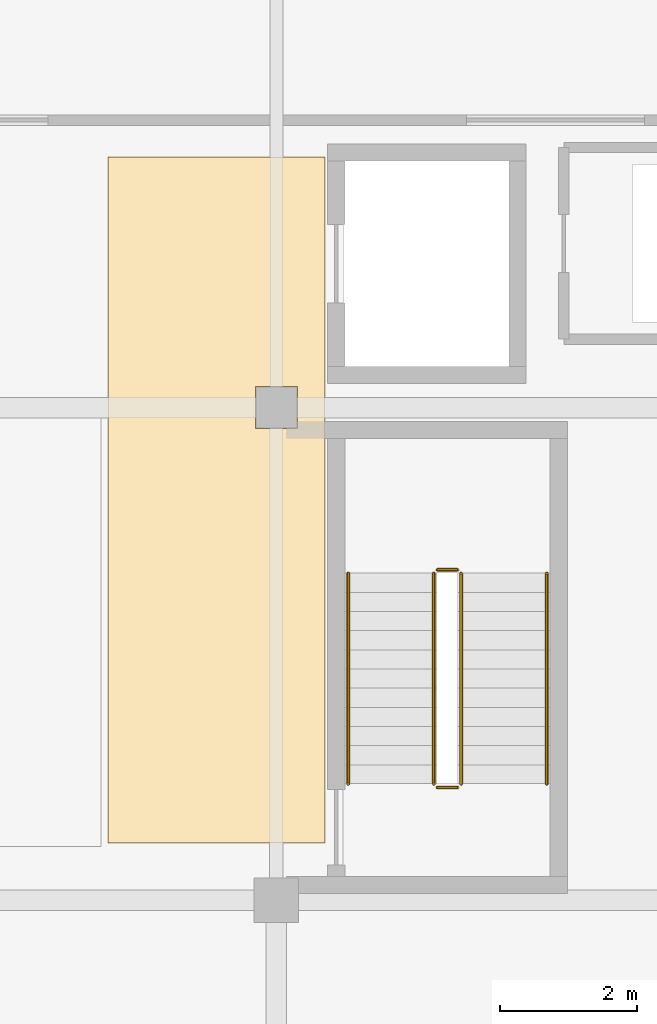
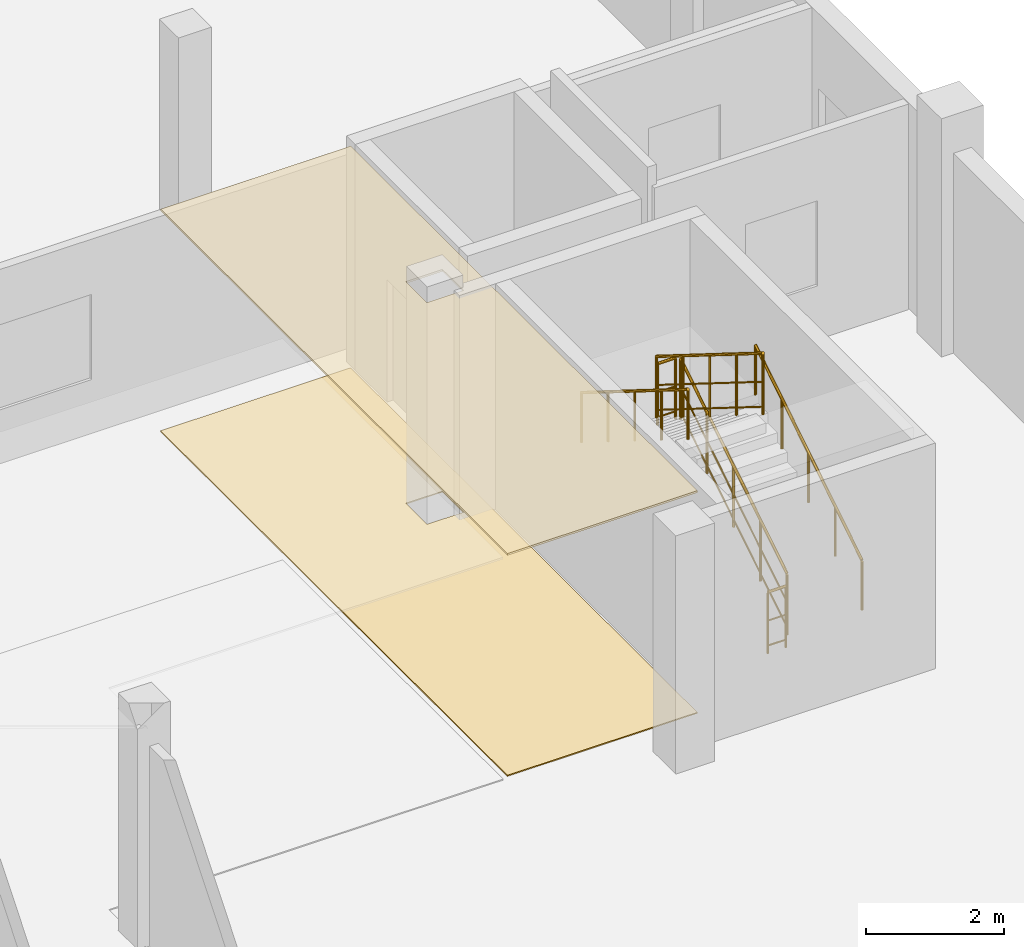
# One storey, part 121 of 121: 6 railings, 2 coverings.
"""IFC4 building model written with IfcOpenShell, lengths in metres."""

from ifc_helpers import new_model, si_unit, direction, frame, origin, origin_2d, place, context, subcontext, project, spatial, polyline, circle, outline, extrude, material, layer, layer_set, type_object, element, save


model = new_model("IFC4")

# Units and contexts
model_context = context("Model", 3, precision=1e-05, world=origin(), true_north=direction((0.0, 1.0)))
body_context = subcontext(model_context, "Body", "Model", "MODEL_VIEW")
ifc_project = project(units=[si_unit("LENGTHUNIT", "METRE"), si_unit("AREAUNIT", "SQUARE_METRE"), si_unit("VOLUMEUNIT", "CUBIC_METRE"), si_unit("PLANEANGLEUNIT", "RADIAN"), si_unit("MASSUNIT", "GRAM", prefix="KILO")], contexts=[model_context])

# Site, building, storey
site_placement = place(None, origin())
site = spatial("IfcSite", under=ifc_project, at=site_placement, CompositionType="ELEMENT")
building_placement = place(site_placement, origin())
building = spatial("IfcBuilding", under=site, at=building_placement, Name="Vinh Khe Railworks Police Headquarters", CompositionType="ELEMENT")
storey_placement = place(building_placement, frame((0.0, 0.0, 4.800048828125)))
storey = spatial("IfcBuildingStorey", under=building, at=storey_placement, Name="L01", CompositionType="ELEMENT", Elevation=4.800048828125)

# Coverings
ifc_material_1 = material(Name="Mineral fibre acoustic ceiling tile")
ifc_layer_1 = layer(ifc_material_1, 0.034912109375)
ifc_layer_set_1 = layer_set([ifc_layer_1], Name="Mineral fibre acoustic ceiling tile")
covering_type_1 = type_object("IfcCoveringType", Name="COV-CEIL-ACOUSTIC", PredefinedType="CEILING", material=ifc_layer_set_1)
covering_1_placement = place(storey_placement, frame((0.0, 0.0, 3.89501953125)))
element("IfcCovering", 1, at=covering_1_placement, inside=storey, type_object=covering_type_1, Name="Acoustic Ceiling Protected Forensic Stair Lobby C3", PredefinedType="CEILING", context=body_context, shape_type="SweptSolid", body=[
    extrude(outline(polyline([(105.7099609375, 141.659912109375), (102.5400390625, 141.659912109375), (102.5400390625, 131.639892578125), (105.7099609375, 131.639892578125), (105.7099609375, 141.659912109375)]), holes=[polyline([(105.304931640625, 137.695068359375), (104.695068359375, 137.695068359375), (104.695068359375, 138.304931640625), (105.304931640625, 138.304931640625), (105.304931640625, 137.695068359375)])]), origin(), (0.0, 0.0, 1.0), 0.034912109375),
])
ifc_material_2 = material(Name="Honed granite terrazzo flooring", Category="masonry")
ifc_layer_2 = layer(ifc_material_2, 0.02001953125)
ifc_layer_set_2 = layer_set([ifc_layer_2], Name="Honed granite terrazzo flooring")
covering_type_2 = type_object("IfcCoveringType", Name="COV-FLR-TERRAZZO", PredefinedType="FLOORING", material=ifc_layer_set_2)
covering_2_placement = place(storey_placement, origin())
element("IfcCovering", 2, at=covering_2_placement, inside=storey, type_object=covering_type_2, Name="Terrazzo Floor Finish Protected Forensic Stair Lobby C3", PredefinedType="FLOORING", context=body_context, shape_type="SweptSolid", body=[
    extrude(outline(polyline([(105.7099609375, 141.659912109375), (102.5400390625, 141.659912109375), (102.5400390625, 131.639892578125), (105.7099609375, 131.639892578125), (105.7099609375, 141.659912109375)]), holes=[polyline([(105.304931640625, 137.695068359375), (104.695068359375, 137.695068359375), (104.695068359375, 138.304931640625), (105.304931640625, 138.304931640625), (105.304931640625, 137.695068359375)])]), origin(), (0.0, 0.0, 1.0), 0.02001953125),
])

# Railings
ifc_material_3 = material(Name="Painted tubular steel", Category="steel")
railing_type_1 = type_object("IfcRailingType", Name="RL-GUARD-1100", PredefinedType="GUARDRAIL", material=ifc_material_3)
railing_1_placement = place(storey_placement, frame((107.699951171875, 132.5, 0.175048828125)))
element("IfcRailing", 3, at=railing_1_placement, inside=storey, type_object=railing_type_1, Name="L01 ST-03 stair guard 1", PredefinedType="GUARDRAIL", context=body_context, shape_type="SweptSolid", body=[
    extrude(circle(Radius=0.02392578125, at=origin_2d()), frame((0.0, 0.0, 1.076171875), z_axis=(0.0, 0.848028513186, 0.529950602248), x_axis=(-1.0, 0.0, 0.0)), (0.0, 0.0, 1.0), 3.632080078125),
    extrude(circle(Radius=0.01416015625, at=origin_2d()), frame((0.0, 0.0, 0.132080078125), z_axis=(0.0, 0.848028513186, 0.529950602248), x_axis=(-1.0, 0.0, 0.0)), (0.0, 0.0, 1.0), 3.632080078125),
    extrude(circle(Radius=0.01416015625, at=origin_2d()), frame((0.0, 0.0, 0.572021484375), z_axis=(0.0, 0.848028513186, 0.529950602248), x_axis=(-1.0, 0.0, 0.0)), (0.0, 0.0, 1.0), 3.632080078125),
    extrude(circle(Radius=0.02099609375, at=origin_2d()), origin(), (0.0, 0.0, 1.0), 1.052001953125),
    extrude(circle(Radius=0.02099609375, at=origin_2d()), frame((0.0, 0.77001953125, 0.481201171875)), (0.0, 0.0, 1.0), 1.052001953125),
    extrude(circle(Radius=0.02099609375, at=origin_2d()), frame((0.0, 1.5400390625, 0.96240234375)), (0.0, 0.0, 1.0), 1.052001953125),
    extrude(circle(Radius=0.02099609375, at=origin_2d()), frame((0.0, 2.31005859375, 1.443603515625)), (0.0, 0.0, 1.0), 1.052001953125),
    extrude(circle(Radius=0.02099609375, at=origin_2d()), frame((0.0, 3.080078125, 1.9248046875)), (0.0, 0.0, 1.0), 1.052001953125),
])
railing_2_placement = place(storey_placement, frame((107.64990234375, 135.6298828125, 2.099853515625)))
element("IfcRailing", 4, at=railing_2_placement, inside=storey, type_object=railing_type_1, Name="L01 ST-03 stair guard 2", PredefinedType="GUARDRAIL", context=body_context, shape_type="SweptSolid", body=[
    extrude(circle(Radius=0.02392578125, at=origin_2d()), frame((0.0, 0.0, 1.076171875), z_axis=(-1.0, 0.0, 0.0), x_axis=(0.0, -1.0, 0.0)), (0.0, 0.0, 1.0), 0.2998046875),
    extrude(circle(Radius=0.01416015625, at=origin_2d()), frame((0.0, 0.0, 0.132080078125), z_axis=(-1.0, 0.0, 0.0), x_axis=(0.0, -1.0, 0.0)), (0.0, 0.0, 1.0), 0.2998046875),
    extrude(circle(Radius=0.01416015625, at=origin_2d()), frame((0.0, 0.0, 0.572021484375), z_axis=(-1.0, 0.0, 0.0), x_axis=(0.0, -1.0, 0.0)), (0.0, 0.0, 1.0), 0.2998046875),
    extrude(circle(Radius=0.02099609375, at=origin_2d()), origin(), (0.0, 0.0, 1.0), 1.052001953125),
    extrude(circle(Radius=0.02099609375, at=origin_2d()), frame((-0.2998046875, 0.0, 0.0)), (0.0, 0.0, 1.0), 1.052001953125),
])
railing_3_placement = place(storey_placement, frame((107.300048828125, 135.580078125, 2.27490234375)))
element("IfcRailing", 5, at=railing_3_placement, inside=storey, type_object=railing_type_1, Name="L01 ST-03 stair guard 3", PredefinedType="GUARDRAIL", context=body_context, shape_type="SweptSolid", body=[
    extrude(circle(Radius=0.02392578125, at=origin_2d()), frame((0.0, 0.0, 1.076171875), z_axis=(0.0, -0.847998304005, 0.529998940003), x_axis=(1.0, 0.0, 0.0)), (0.0, 0.0, 1.0), 3.632080078125),
    extrude(circle(Radius=0.01416015625, at=origin_2d()), frame((0.0, 0.0, 0.132080078125), z_axis=(0.0, -0.847998304005, 0.529998940003), x_axis=(1.0, 0.0, 0.0)), (0.0, 0.0, 1.0), 3.632080078125),
    extrude(circle(Radius=0.01416015625, at=origin_2d()), frame((0.0, 0.0, 0.572021484375), z_axis=(0.0, -0.847998304005, 0.529998940003), x_axis=(1.0, 0.0, 0.0)), (0.0, 0.0, 1.0), 3.632080078125),
    extrude(circle(Radius=0.02099609375, at=origin_2d()), origin(), (0.0, 0.0, 1.0), 1.052001953125),
    extrude(circle(Radius=0.02099609375, at=origin_2d()), frame((0.0, -0.77001953125, 0.481201171875)), (0.0, 0.0, 1.0), 1.052001953125),
    extrude(circle(Radius=0.02099609375, at=origin_2d()), frame((0.0, -1.5400390625, 0.96240234375)), (0.0, 0.0, 1.0), 1.052001953125),
    extrude(circle(Radius=0.02099609375, at=origin_2d()), frame((0.0, -2.31005859375, 1.44384765625)), (0.0, 0.0, 1.0), 1.052001953125),
    extrude(circle(Radius=0.02099609375, at=origin_2d()), frame((0.0, -3.080078125, 1.925048828125)), (0.0, 0.0, 1.0), 1.052001953125),
])
railing_4_placement = place(storey_placement, frame((107.64990234375, 132.449951171875, 0.0)))
element("IfcRailing", 6, at=railing_4_placement, inside=storey, type_object=railing_type_1, Name="L01 ST-03 stair guard 4", PredefinedType="GUARDRAIL", context=body_context, shape_type="SweptSolid", body=[
    extrude(circle(Radius=0.02392578125, at=origin_2d()), frame((0.0, 0.0, 1.076171875), z_axis=(-1.0, 0.0, 0.0), x_axis=(0.0, -1.0, 0.0)), (0.0, 0.0, 1.0), 0.2998046875),
    extrude(circle(Radius=0.01416015625, at=origin_2d()), frame((0.0, 0.0, 0.132080078125), z_axis=(-1.0, 0.0, 0.0), x_axis=(0.0, -1.0, 0.0)), (0.0, 0.0, 1.0), 0.2998046875),
    extrude(circle(Radius=0.01416015625, at=origin_2d()), frame((0.0, 0.0, 0.572021484375), z_axis=(-1.0, 0.0, 0.0), x_axis=(0.0, -1.0, 0.0)), (0.0, 0.0, 1.0), 0.2998046875),
    extrude(circle(Radius=0.02099609375, at=origin_2d()), origin(), (0.0, 0.0, 1.0), 1.052001953125),
    extrude(circle(Radius=0.02099609375, at=origin_2d()), frame((-0.2998046875, 0.0, 0.0)), (0.0, 0.0, 1.0), 1.052001953125),
])
ifc_material_4 = material(Name="Brushed stainless steel", Category="steel")
railing_type_2 = type_object("IfcRailingType", Name="RL-HAND-900", PredefinedType="HANDRAIL", material=ifc_material_4)
railing_5_placement = place(storey_placement, frame((108.949951171875, 132.5, 0.175048828125)))
element("IfcRailing", 7, at=railing_5_placement, inside=storey, type_object=railing_type_2, Name="L01 ST-03 stair handrail 1", PredefinedType="HANDRAIL", context=body_context, shape_type="SweptSolid", body=[
    extrude(circle(Radius=0.02392578125, at=origin_2d()), frame((0.0, 0.0, 0.8759765625), z_axis=(0.0, 0.848028513186, 0.529950602248), x_axis=(-1.0, 0.0, 0.0)), (0.0, 0.0, 1.0), 3.632080078125),
    extrude(circle(Radius=0.02099609375, at=origin_2d()), origin(), (0.0, 0.0, 1.0), 0.851806640625),
    extrude(circle(Radius=0.02099609375, at=origin_2d()), frame((0.0, 0.77001953125, 0.481201171875)), (0.0, 0.0, 1.0), 0.851806640625),
    extrude(circle(Radius=0.02099609375, at=origin_2d()), frame((0.0, 1.5400390625, 0.96240234375)), (0.0, 0.0, 1.0), 0.851806640625),
    extrude(circle(Radius=0.02099609375, at=origin_2d()), frame((0.0, 2.31005859375, 1.443603515625)), (0.0, 0.0, 1.0), 0.851806640625),
    extrude(circle(Radius=0.02099609375, at=origin_2d()), frame((0.0, 3.080078125, 1.9248046875)), (0.0, 0.0, 1.0), 0.851806640625),
])
railing_6_placement = place(storey_placement, frame((106.050048828125, 135.580078125, 2.27490234375)))
element("IfcRailing", 8, at=railing_6_placement, inside=storey, type_object=railing_type_2, Name="L01 ST-03 stair handrail 2", PredefinedType="HANDRAIL", context=body_context, shape_type="SweptSolid", body=[
    extrude(circle(Radius=0.02392578125, at=origin_2d()), frame((0.0, 0.0, 0.8759765625), z_axis=(0.0, -0.847998304005, 0.529998940003), x_axis=(1.0, 0.0, 0.0)), (0.0, 0.0, 1.0), 3.632080078125),
    extrude(circle(Radius=0.02099609375, at=origin_2d()), origin(), (0.0, 0.0, 1.0), 0.851806640625),
    extrude(circle(Radius=0.02099609375, at=origin_2d()), frame((0.0, -0.77001953125, 0.481201171875)), (0.0, 0.0, 1.0), 0.851806640625),
    extrude(circle(Radius=0.02099609375, at=origin_2d()), frame((0.0, -1.5400390625, 0.96240234375)), (0.0, 0.0, 1.0), 0.851806640625),
    extrude(circle(Radius=0.02099609375, at=origin_2d()), frame((0.0, -2.31005859375, 1.44384765625)), (0.0, 0.0, 1.0), 0.851806640625),
    extrude(circle(Radius=0.02099609375, at=origin_2d()), frame((0.0, -3.080078125, 1.925048828125)), (0.0, 0.0, 1.0), 0.851806640625),
])

save(model, "model.ifc")
